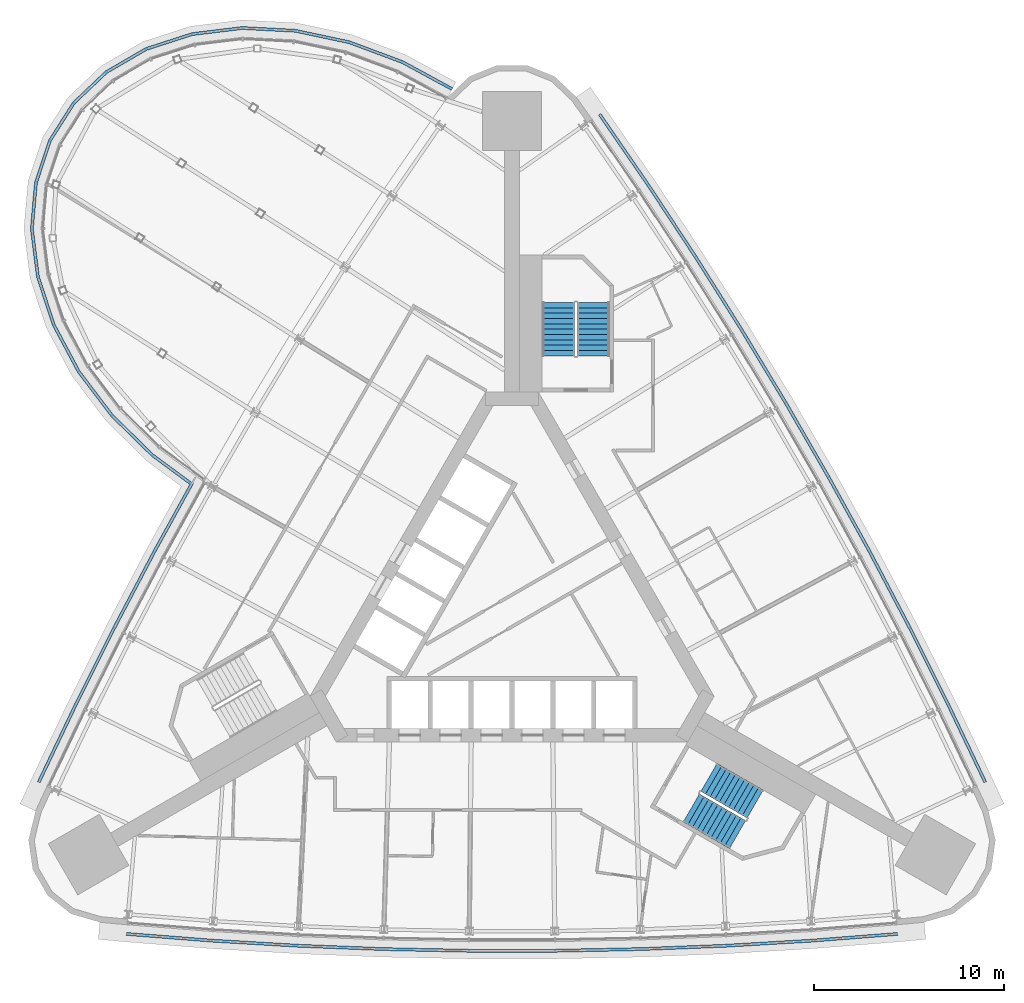
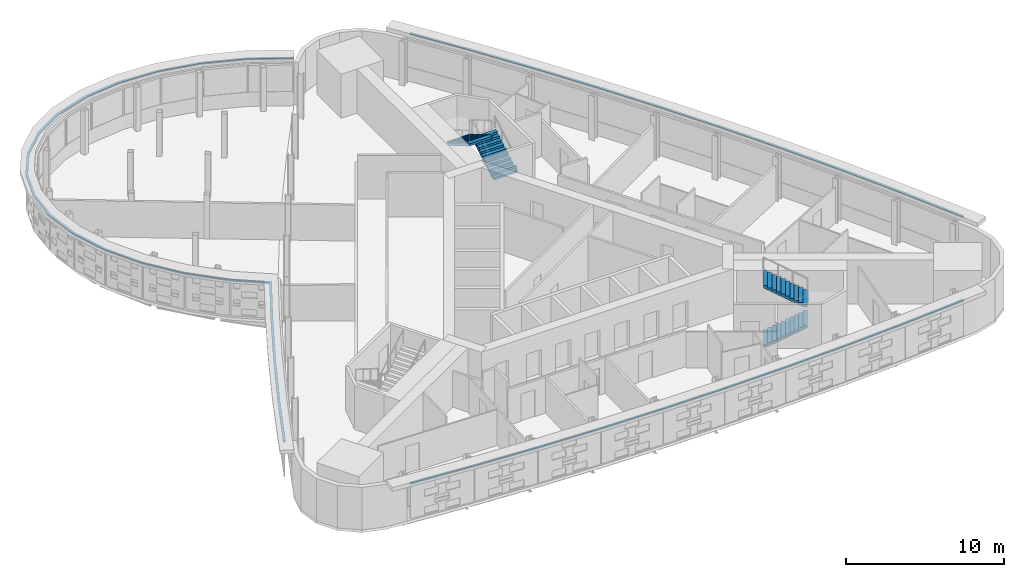
# One storey, part 14 of 17: 4 stair flights, 3 discrete accessories, 2 elements without a shape of their own.
"""IFC4 building model written with IfcOpenShell, lengths in metres."""

from ifc_helpers import new_model, si_unit, direction, frame, origin, place, context, subcontext, project, spatial, polyline, outline, extrude, material, type_object, element, aggregate, save


model = new_model("IFC4")

# Units and contexts
model_context = context("Model", 3, precision=1e-05, world=origin(), true_north=direction((0.0, 1.0)))
body_context = subcontext(model_context, "Body", "Model", "MODEL_VIEW")
ifc_project = project(units=[si_unit("LENGTHUNIT", "METRE"), si_unit("AREAUNIT", "SQUARE_METRE"), si_unit("VOLUMEUNIT", "CUBIC_METRE"), si_unit("PLANEANGLEUNIT", "RADIAN"), si_unit("MASSUNIT", "GRAM", prefix="KILO")], contexts=[model_context])

# Site, building, storey
site_placement = place(None, origin())
site = spatial("IfcSite", under=ifc_project, at=site_placement, CompositionType="ELEMENT")
building_placement = place(site_placement, origin())
building = spatial("IfcBuilding", under=site, at=building_placement, Name="Noor Cloister Tower", CompositionType="ELEMENT")
storey_placement = place(building_placement, frame((0.0, 0.0, 95.10009765625)))
storey = spatial("IfcBuildingStorey", under=building, at=storey_placement, Name="L24", CompositionType="ELEMENT", Elevation=95.10009765625)

# Stair, stair flights
ifc_material_1 = material(Name="Concrete C40/50", Category="concrete")
stair_type = type_object("IfcStairType", Name="Exit stair 22 risers", PredefinedType="HALF_TURN_STAIR", material=ifc_material_1)
stair_1_placement = place(storey_placement, origin())
stair_1 = element("IfcStair", 1, at=stair_1_placement, inside=storey, type_object=stair_type, Name="Exit stair ST1 L24", PredefinedType="HALF_TURN_STAIR")
ifc_material_2 = material(Name="Concrete C40/50", Category="concrete")
stair_flight_type = type_object("IfcStairFlightType", Name="Exit stair flight", PredefinedType="STRAIGHT", material=ifc_material_2)
stair_flight_1_placement = place(storey_placement, frame((4.28564453125, 13.3564453125, 0.0), z_axis=(0.0, 0.0, 1.0), x_axis=(0.0, 1.0, 0.0)))
stair_flight_1 = element("IfcStairFlight", 2, at=stair_flight_1_placement, type_object=stair_flight_type, Name="ST1 flight 1", NumberOfRisers=11, NumberOfTreads=10, PredefinedType="STRAIGHT", RiserHeight=0.163636364, TreadLength=0.28, context=body_context, shape_type="SweptSolid", body=[
    extrude(outline(polyline([(0.0, 0.0), (0.0, 0.16357421875), (0.280029296875, 0.16357421875), (0.280029296875, 0.327392578125), (0.56005859375, 0.327392578125), (0.56005859375, 0.490966796875), (0.840087890625, 0.490966796875), (0.840087890625, 0.654541015625), (1.1201171875, 0.654541015625), (1.1201171875, 0.818115234375), (1.39990234375, 0.818115234375), (1.39990234375, 0.98193359375), (1.679931640625, 0.98193359375), (1.679931640625, 1.1455078125), (1.9599609375, 1.1455078125), (1.9599609375, 1.30908203125), (2.239990234375, 1.30908203125), (2.239990234375, 1.47265625), (2.52001953125, 1.47265625), (2.52001953125, 1.636474609375), (2.800048828125, 1.636474609375), (2.800048828125, 1.800048828125), (2.800048828125, 1.462646484375), (0.297119140625, 0.0), (0.0, 0.0)])), frame((0.0, 0.85009765625, 0.0), z_axis=(0.0, -1.0, 0.0), x_axis=(1.0, 0.0, 0.0)), (0.0, 0.0, 1.0), 1.699951171875),
])
stair_flight_2_placement = place(storey_placement, frame((2.435546875, 16.156494140625, 1.7998046875), z_axis=(0.0, 0.0, 1.0), x_axis=(0.0, -1.0, 0.0)))
stair_flight_2 = element("IfcStairFlight", 3, at=stair_flight_2_placement, type_object=stair_flight_type, Name="ST1 flight 2", NumberOfRisers=11, NumberOfTreads=10, PredefinedType="STRAIGHT", RiserHeight=0.163636364, TreadLength=0.28, context=body_context, shape_type="SweptSolid", body=[
    extrude(outline(polyline([(0.0, 0.0), (0.0, 0.16357421875), (0.280029296875, 0.16357421875), (0.280029296875, 0.327392578125), (0.56005859375, 0.327392578125), (0.56005859375, 0.490966796875), (0.840087890625, 0.490966796875), (0.840087890625, 0.654541015625), (1.1201171875, 0.654541015625), (1.1201171875, 0.818115234375), (1.39990234375, 0.818115234375), (1.39990234375, 0.98193359375), (1.679931640625, 0.98193359375), (1.679931640625, 1.1455078125), (1.9599609375, 1.1455078125), (1.9599609375, 1.30908203125), (2.239990234375, 1.30908203125), (2.239990234375, 1.47265625), (2.52001953125, 1.47265625), (2.52001953125, 1.636474609375), (2.800048828125, 1.636474609375), (2.800048828125, 1.800048828125), (2.800048828125, 1.462646484375), (0.297119140625, 0.0), (0.0, 0.0)])), frame((0.0, 0.85009765625, 0.0), z_axis=(0.0, -1.0, 0.0), x_axis=(1.0, 0.0, 0.0)), (0.0, 0.0, 1.0), 1.699951171875),
])
aggregate(stair_1, [stair_flight_1, stair_flight_2])

stair_2_placement = place(storey_placement, origin())
stair_2 = element("IfcStair", 4, at=stair_2_placement, inside=storey, type_object=stair_type, Name="Exit stair ST3 L24", PredefinedType="HALF_TURN_STAIR")
stair_flight_3_placement = place(storey_placement, frame((9.424072265625, -10.3896484375, 0.0), z_axis=(0.0, 0.0, 1.0), x_axis=(0.866025403784, -0.5, 0.0)))
stair_flight_3 = element("IfcStairFlight", 5, at=stair_flight_3_placement, type_object=stair_flight_type, Name="ST3 flight 1", NumberOfRisers=11, NumberOfTreads=10, PredefinedType="STRAIGHT", RiserHeight=0.163636364, TreadLength=0.28, context=body_context, shape_type="SweptSolid", body=[
    extrude(outline(polyline([(0.0, 0.0), (0.0, 0.16357421875), (0.280029296875, 0.16357421875), (0.280029296875, 0.327392578125), (0.56005859375, 0.327392578125), (0.56005859375, 0.490966796875), (0.840087890625, 0.490966796875), (0.840087890625, 0.654541015625), (1.1201171875, 0.654541015625), (1.1201171875, 0.818115234375), (1.39990234375, 0.818115234375), (1.39990234375, 0.98193359375), (1.679931640625, 0.98193359375), (1.679931640625, 1.1455078125), (1.9599609375, 1.1455078125), (1.9599609375, 1.30908203125), (2.239990234375, 1.30908203125), (2.239990234375, 1.47265625), (2.52001953125, 1.47265625), (2.52001953125, 1.636474609375), (2.800048828125, 1.636474609375), (2.800048828125, 1.800048828125), (2.800048828125, 1.462646484375), (0.297119140625, 0.0), (0.0, 0.0)])), frame((0.0, 0.85009765625, 0.0), z_axis=(0.0, -1.0, 0.0), x_axis=(1.0, 0.0, 0.0)), (0.0, 0.0, 1.0), 1.699951171875),
])
stair_flight_4_placement = place(storey_placement, frame((12.77392578125, -10.1875, 1.7998046875), z_axis=(0.0, 0.0, 1.0), x_axis=(-0.866025403784, 0.5, 0.0)))
stair_flight_4 = element("IfcStairFlight", 6, at=stair_flight_4_placement, type_object=stair_flight_type, Name="ST3 flight 2", NumberOfRisers=11, NumberOfTreads=10, PredefinedType="STRAIGHT", RiserHeight=0.163636364, TreadLength=0.28, context=body_context, shape_type="SweptSolid", body=[
    extrude(outline(polyline([(0.0, 0.0), (0.0, 0.16357421875), (0.280029296875, 0.16357421875), (0.280029296875, 0.327392578125), (0.56005859375, 0.327392578125), (0.56005859375, 0.490966796875), (0.840087890625, 0.490966796875), (0.840087890625, 0.654541015625), (1.1201171875, 0.654541015625), (1.1201171875, 0.818115234375), (1.39990234375, 0.818115234375), (1.39990234375, 0.98193359375), (1.679931640625, 0.98193359375), (1.679931640625, 1.1455078125), (1.9599609375, 1.1455078125), (1.9599609375, 1.30908203125), (2.239990234375, 1.30908203125), (2.239990234375, 1.47265625), (2.52001953125, 1.47265625), (2.52001953125, 1.636474609375), (2.800048828125, 1.636474609375), (2.800048828125, 1.800048828125), (2.800048828125, 1.462646484375), (0.297119140625, 0.0), (0.0, 0.0)])), frame((0.0, 0.85009765625, 0.0), z_axis=(0.0, -1.0, 0.0), x_axis=(1.0, 0.0, 0.0)), (0.0, 0.0, 1.0), 1.699951171875),
])
aggregate(stair_2, [stair_flight_3, stair_flight_4])

# Discrete accessories
ifc_material_3 = material(Name="Stainless steel grade 316", Category="steel")
discrete_accessory_type = type_object("IfcDiscreteAccessoryType", Name="Stainless hanger rail", PredefinedType="BRACKET", material=ifc_material_3)
discrete_accessory_1_placement = place(storey_placement, frame((0.0, 0.0, 3.199951171875)))
element("IfcDiscreteAccessory", 7, at=discrete_accessory_1_placement, inside=storey, type_object=discrete_accessory_type, Name="Hanger rail L24", PredefinedType="BRACKET", context=body_context, shape_type="SweptSolid", body=[
    extrude(outline(polyline([(-3.108642578125, 27.44482421875), (-5.73388671875, 28.86865234375), (-8.5302734375, 29.91015625), (-11.372314453125, 30.514892578125), (-14.1669921875, 30.66064453125), (-16.82275390625, 30.33837890625), (-19.249755859375, 29.552734375), (-21.362548828125, 28.324462890625), (-23.081787109375, 26.69140625), (-24.33984375, 24.711669921875), (-25.088134765625, 22.461669921875), (-25.30322265625, 20.027099609375), (-24.983642578125, 17.496337890625), (-24.147705078125, 14.955078125), (-22.8291015625, 12.48681640625), (-21.074462890625, 10.170654296875), (-18.944091796875, 8.0810546875), (-16.935546875, 6.600341796875), (-18.8740234375, 3.084716796875), (-20.973876953125, -0.90771484375), (-22.994873046875, -4.940673828125), (-24.933837890625, -9.007568359375), (-24.789306640625, -9.076416015625), (-22.85107421875, -5.0107421875), (-20.83154296875, -0.980712890625), (-18.733154296875, 3.0087890625), (-16.7275390625, 6.645751953125), (-18.840087890625, 8.203125), (-20.9541015625, 10.276611328125), (-22.69384765625, 12.5732421875), (-24.000244140625, 15.018310546875), (-24.826904296875, 17.531494140625), (-25.142333984375, 20.0302734375), (-24.930419921875, 22.428955078125), (-24.194091796875, 24.642578125), (-22.957275390625, 26.5888671875), (-21.265869140625, 28.195556640625), (-19.18408203125, 29.40576171875), (-16.7880859375, 30.181396484375), (-14.16162109375, 30.500244140625), (-11.39306640625, 30.355712890625), (-8.574951171875, 29.756103515625), (-5.80029296875, 28.72265625), (-3.184814453125, 27.30419921875), (-3.108642578125, 27.44482421875)])), origin(), (0.0, 0.0, 1.0), 0.099853515625),
])
discrete_accessory_2_placement = place(storey_placement, frame((0.0, 0.0, 3.199951171875)))
element("IfcDiscreteAccessory", 8, at=discrete_accessory_2_placement, inside=storey, type_object=discrete_accessory_type, Name="Hanger rail L24", PredefinedType="BRACKET", context=body_context, shape_type="SweptSolid", body=[
    extrude(outline(polyline([(-20.267578125, -17.089599609375), (-15.776123046875, -17.44384765625), (-11.27294921875, -17.710205078125), (-6.765625, -17.8876953125), (-2.25537109375, -17.976318359375), (2.25537109375, -17.976318359375), (6.765625, -17.8876953125), (11.27294921875, -17.710205078125), (15.776123046875, -17.44384765625), (20.267578125, -17.089599609375), (20.2548828125, -16.929931640625), (15.76513671875, -17.2841796875), (11.26513671875, -17.55029296875), (6.7607421875, -17.727783203125), (2.25390625, -17.81640625), (-2.25390625, -17.81640625), (-6.7607421875, -17.727783203125), (-11.26513671875, -17.55029296875), (-15.76513671875, -17.2841796875), (-20.2548828125, -16.929931640625), (-20.267578125, -17.089599609375)])), origin(), (0.0, 0.0, 1.0), 0.099853515625),
])
discrete_accessory_3_placement = place(storey_placement, frame((0.0, 0.0, 3.199951171875)))
element("IfcDiscreteAccessory", 9, at=discrete_accessory_3_placement, inside=storey, type_object=discrete_accessory_type, Name="Hanger rail L24", PredefinedType="BRACKET", context=body_context, shape_type="SweptSolid", body=[
    extrude(outline(polyline([(24.933837890625, -9.007568359375), (22.994873046875, -4.940673828125), (20.973876953125, -0.90771484375), (18.8740234375, 3.084716796875), (16.69580078125, 7.034912109375), (14.440185546875, 10.94140625), (12.1083984375, 14.802978515625), (9.700927734375, 18.61767578125), (7.21875, 22.384521484375), (4.666259765625, 26.096923828125), (4.534423828125, 26.00634765625), (7.086181640625, 22.295166015625), (9.56640625, 18.531005859375), (11.97216796875, 14.718994140625), (14.302490234375, 10.860107421875), (16.556396484375, 6.956298828125), (18.733154296875, 3.0087890625), (20.83154296875, -0.980712890625), (22.85107421875, -5.0107421875), (24.789306640625, -9.076416015625), (24.933837890625, -9.007568359375)])), origin(), (0.0, 0.0, 1.0), 0.099853515625),
])

save(model, "model.ifc")
